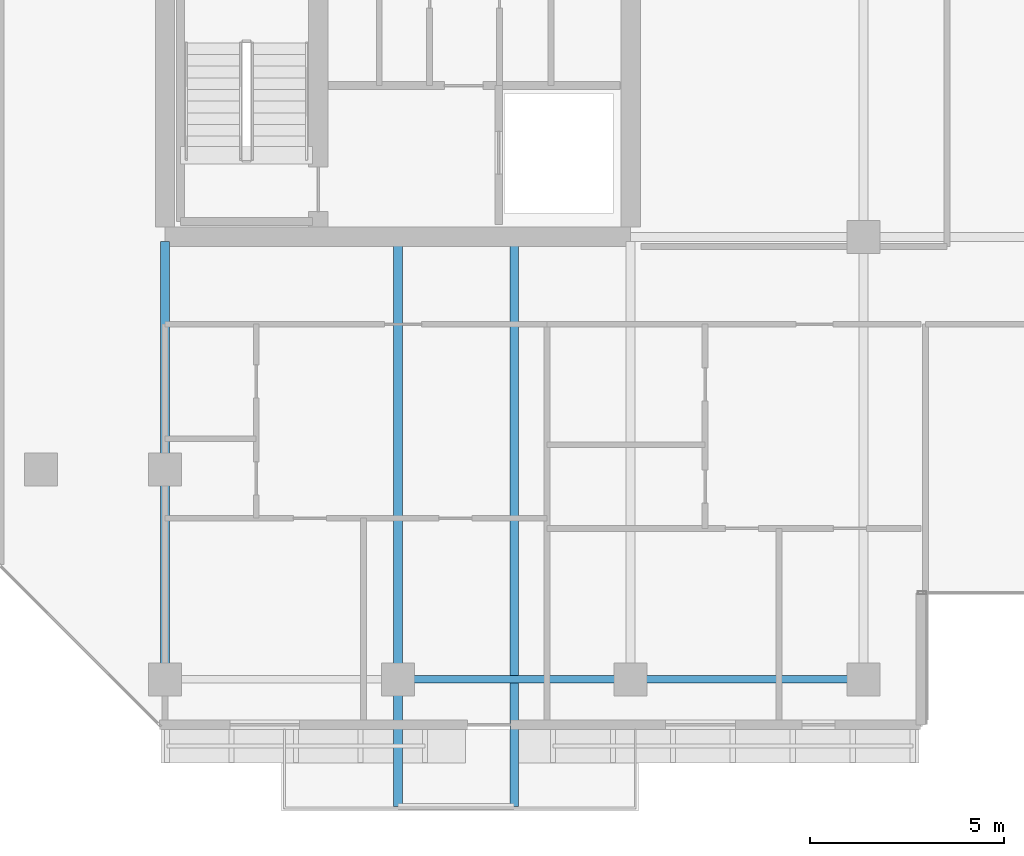
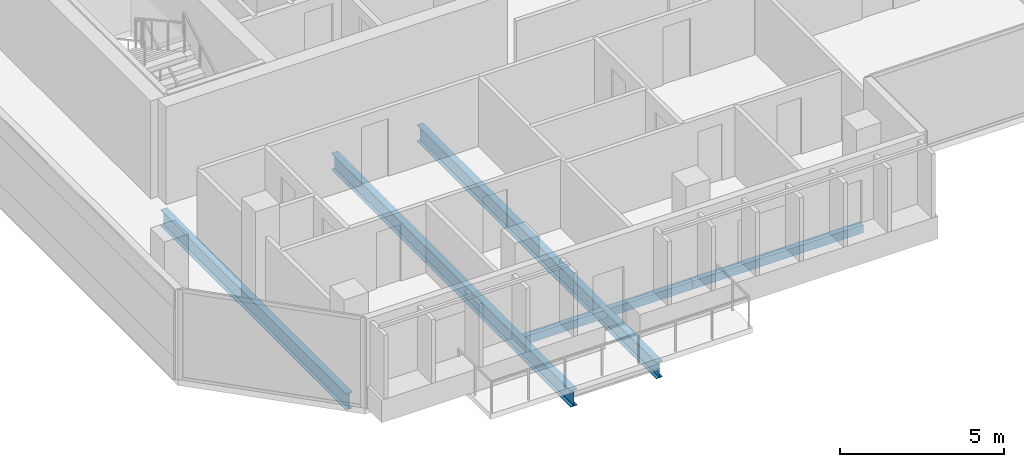
# One storey, part 3 of 31: 5 beams.
"""IFC4 building model written with IfcOpenShell, lengths in metres."""

from ifc_helpers import new_model, si_unit, direction, frame, origin, origin_2d, place, context, subcontext, project, spatial, hollow_rectangle, i_section, extrude, material, material_profile, profile_set, type_object, element, save


model = new_model("IFC4")

# Units and contexts
model_context = context("Model", 3, precision=1e-05, world=origin(), true_north=direction((0.0, 1.0)))
body_context = subcontext(model_context, "Body", "Model", "MODEL_VIEW")
ifc_project = project(units=[si_unit("LENGTHUNIT", "METRE"), si_unit("AREAUNIT", "SQUARE_METRE"), si_unit("VOLUMEUNIT", "CUBIC_METRE"), si_unit("PLANEANGLEUNIT", "RADIAN"), si_unit("MASSUNIT", "GRAM", prefix="KILO")], contexts=[model_context])

# Site, building, storey
site_placement = place(None, origin())
site = spatial("IfcSite", under=ifc_project, at=site_placement, CompositionType="ELEMENT")
building_placement = place(site_placement, origin())
building = spatial("IfcBuilding", under=site, at=building_placement, Name="Tanjung Sevakor Pilgrim Tower", CompositionType="ELEMENT")
storey_placement = place(building_placement, frame((0.0, 0.0, 169.2900390625)))
storey = spatial("IfcBuildingStorey", under=building, at=storey_placement, Name="L47", CompositionType="ELEMENT", Elevation=169.2900390625)

# Beams
ifc_material_1 = material(Name="Steel S355J2", Category="steel")
ifc_material_profile_1 = material_profile(ifc_material_1, i_section(OverallWidth=0.22900390625, OverallDepth=0.6123046875, WebThickness=0.011962890625, FlangeThickness=0.01953125, FilletRadius=0.0126953125, at=origin_2d()))
ifc_profile_set_1 = profile_set([ifc_material_profile_1], Name="Steel S355J2")
beam_type_1 = type_object("IfcBeamType", Name="BM-B-G4-UB_610x229x125", PredefinedType="BEAM", material=ifc_profile_set_1)
beam_placement = place(storey_placement, frame((24.0, 13.199951171875, -0.526123046875), z_axis=(0.0, 1.0, 0.0), x_axis=(-1.0, 0.0, 0.0)))
element("IfcBeam", 1, at=beam_placement, inside=storey, type_object=beam_type_1, Name="L47 MAIN Girder 001", PredefinedType="BEAM", context=body_context, shape_type="SweptSolid", body=[
    extrude(i_section(OverallWidth=0.22900390625, OverallDepth=0.6123046875, WebThickness=0.011962890625, FlangeThickness=0.01953125, FilletRadius=0.0126953125, at=origin_2d()), origin(), (0.0, 0.0, 1.0), 11.284912109375),
])
for number, where, z_axis, x_axis, name in (
    (2, (30.0, 24.48486328125, -0.526123046875), (0.0, -1.0, 0.0), (1.0, 0.0, 0.0), "L47 Balcony Cantilever Beam MAIN-S1-1"),
    (3, (33.0, 24.48486328125, -0.526123046875), (0.0, -1.0, 0.0), (1.0, 0.0, 0.0), "L47 Balcony Cantilever Beam MAIN-S1-2"),
):
    element("IfcBeam", number, at=place(storey_placement, frame(where, z_axis=z_axis, x_axis=x_axis)), inside=storey, type_object=beam_type_1, Name=name, PredefinedType="BEAM", context=body_context, shape_type="SweptSolid", body=[
        extrude(i_section(OverallWidth=0.22900390625, OverallDepth=0.6123046875, WebThickness=0.011962890625, FlangeThickness=0.01953125, FilletRadius=0.0126953125, at=origin_2d()), origin(), (0.0, 0.0, 1.0), 14.56494140625),
    ])
ifc_material_2 = material(Name="Steel S355J2", Category="steel")
ifc_material_profile_2 = material_profile(ifc_material_2, hollow_rectangle(XDim=0.199951171875, YDim=0.300048828125, WallThickness=0.012451171875, at=origin_2d()))
ifc_profile_set_2 = profile_set([ifc_material_profile_2], Name="Steel S355J2")
beam_type_2 = type_object("IfcBeamType", Name="BM-B-SP3-RHS_300x200x12.5", PredefinedType="SPANDREL", material=ifc_profile_set_2)
for number, where, z_axis, x_axis, name in (
    (4, (30.0, 13.199951171875, -0.3701171875), (1.0, 0.0, 0.0), (0.0, 1.0, 0.0), "L47 Spandrel MAIN S-03"),
    (5, (36.0, 13.199951171875, -0.3701171875), (1.0, 0.0, 0.0), (0.0, 1.0, 0.0), "L47 Spandrel MAIN S-05"),
):
    element("IfcBeam", number, at=place(storey_placement, frame(where, z_axis=z_axis, x_axis=x_axis)), inside=storey, type_object=beam_type_2, Name=name, PredefinedType="SPANDREL", context=body_context, shape_type="SweptSolid", body=[
        extrude(hollow_rectangle(XDim=0.199951171875, YDim=0.300048828125, WallThickness=0.012451171875, at=origin_2d()), origin(), (0.0, 0.0, 1.0), 6.0),
    ])

save(model, "model.ifc")
